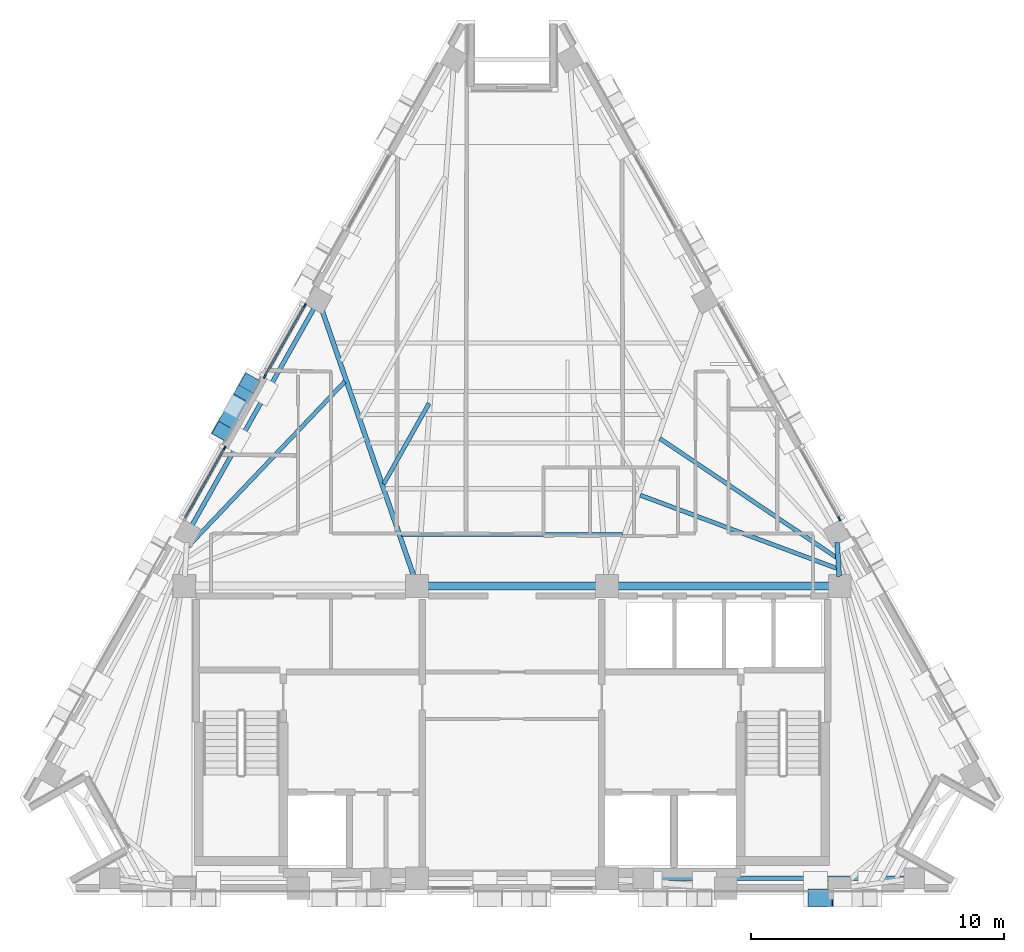
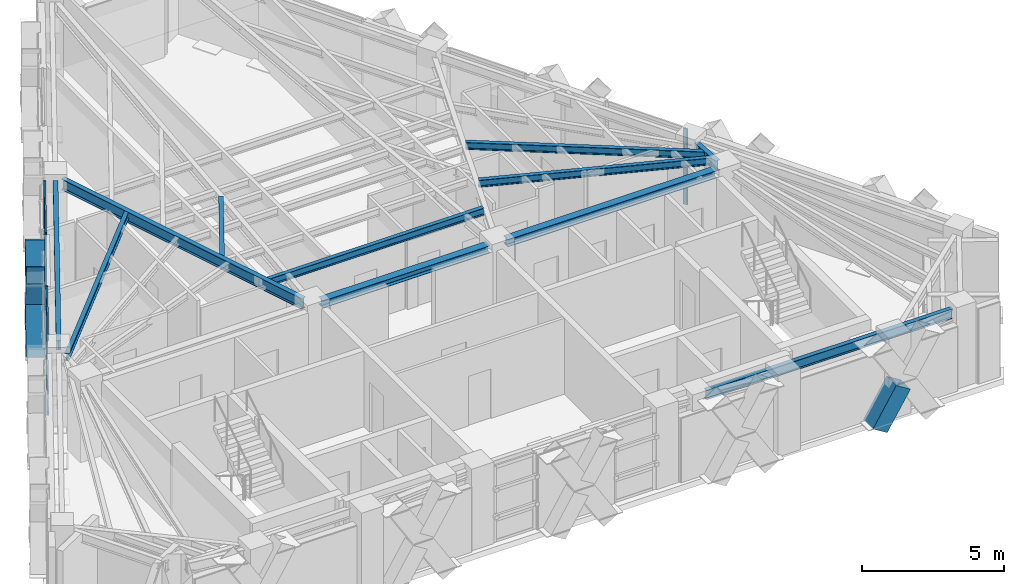
# One storey, part 3 of 10: 14 members, 11 beams, 3 elements without a shape of their own.
"""IFC4 building model written with IfcOpenShell, lengths in metres."""

from ifc_helpers import new_model, si_unit, direction, frame, origin, origin_2d, place, context, subcontext, project, spatial, rectangle, hollow_rectangle, i_section, extrude, material, material_profile, profile_set, type_object, element, aggregate, save


model = new_model("IFC4")

# Units and contexts
model_context = context("Model", 3, precision=1e-05, world=origin(), true_north=direction((0.0, 1.0)))
body_context = subcontext(model_context, "Body", "Model", "MODEL_VIEW")
ifc_project = project(units=[si_unit("LENGTHUNIT", "METRE"), si_unit("AREAUNIT", "SQUARE_METRE"), si_unit("VOLUMEUNIT", "CUBIC_METRE"), si_unit("PLANEANGLEUNIT", "RADIAN"), si_unit("MASSUNIT", "GRAM", prefix="KILO")], contexts=[model_context])

# Site, building, storey
site_placement = place(None, origin())
site = spatial("IfcSite", under=ifc_project, at=site_placement, CompositionType="ELEMENT")
building_placement = place(site_placement, origin())
building = spatial("IfcBuilding", under=site, at=building_placement, Name="Quenlor Broadcast Tower", CompositionType="ELEMENT")
storey_placement = place(building_placement, frame((0.0, 0.0, 232.39990234375)))
storey = spatial("IfcBuildingStorey", under=building, at=storey_placement, Name="L64", CompositionType="ELEMENT", Elevation=232.39990234375)

# Curtain wall, member
ifc_material_1 = material(Name="Architectural Terracotta and Low-E Glazing", Category="masonry")
curtain_wall_type = type_object("IfcCurtainWallType", Name="Unitised Terracotta Curtain Wall System Z5", PredefinedType="NOTDEFINED", material=ifc_material_1)
curtain_wall_1_placement = place(storey_placement, origin())
curtain_wall_1 = element("IfcCurtainWall", 1, at=curtain_wall_1_placement, inside=storey, type_object=curtain_wall_type, Name="L64 Curtain Wall CW5 (L64-NE-G2)", PredefinedType="NOTDEFINED")
ifc_material_2 = material(Name="Aluminium 6063-T6", Category="aluminium")
ifc_material_profile_1 = material_profile(ifc_material_2, rectangle(XDim=0.06494140625, YDim=0.169921875, at=origin_2d()))
ifc_profile_set_1 = profile_set([ifc_material_profile_1], Name="Aluminium 6063-T6 MULL65x170")
member_type_1 = type_object("IfcMemberType", Name="CW5 Aluminium Mullion MULL_CW5", PredefinedType="MULLION", material=ifc_profile_set_1)
member_1_placement = place(storey_placement, frame((12.930419921875, -2.1484375, 0.0), z_axis=(0.0, 0.0, 1.0), x_axis=(0.871574721405, 0.490262689797, 0.0)))
member_1 = element("IfcMember", 2, at=member_1_placement, type_object=member_type_1, Name="CW5 mullion 2", PredefinedType="MULLION", context=body_context, shape_type="SweptSolid", body=[
    extrude(rectangle(XDim=0.06494140625, YDim=0.169921875, at=origin_2d()), origin(), (0.0, 0.0, 1.0), 3.25),
])
aggregate(curtain_wall_1, [member_1])

curtain_wall_2_placement = place(storey_placement, origin())
curtain_wall_2 = element("IfcCurtainWall", 3, at=curtain_wall_2_placement, inside=storey, type_object=curtain_wall_type, Name="L64 Curtain Wall CW5 (L64-NW-G1)", PredefinedType="NOTDEFINED")
member_2_placement = place(storey_placement, frame((-11.357177734375, 0.6484375, 0.0), z_axis=(0.0, 0.0, 1.0), x_axis=(-0.871574721405, 0.490262689797, 0.0)))
member_2 = element("IfcMember", 4, at=member_2_placement, type_object=member_type_1, Name="CW5 mullion 2", PredefinedType="MULLION", context=body_context, shape_type="SweptSolid", body=[
    extrude(rectangle(XDim=0.06494140625, YDim=0.169921875, at=origin_2d()), origin(), (0.0, 0.0, 1.0), 3.25),
])

# Curtain wall, members
curtain_wall_3_placement = place(storey_placement, origin())
curtain_wall_3 = element("IfcCurtainWall", 5, at=curtain_wall_3_placement, inside=storey, type_object=curtain_wall_type, Name="L64 Curtain Wall CW5 (L64-NW-G2)", PredefinedType="NOTDEFINED")
member_3_placement = place(storey_placement, frame((-9.763427734375, 3.48193359375, 0.0), z_axis=(0.0, 0.0, 1.0), x_axis=(-0.871574721405, 0.490262689797, 0.0)))
member_3 = element("IfcMember", 6, at=member_3_placement, type_object=member_type_1, Name="CW5 mullion 1", PredefinedType="MULLION", context=body_context, shape_type="SweptSolid", body=[
    extrude(rectangle(XDim=0.06494140625, YDim=0.169921875, at=origin_2d()), origin(), (0.0, 0.0, 1.0), 3.25),
])
member_4_placement = place(storey_placement, frame((-8.190185546875, 6.27880859375, 0.0), z_axis=(0.0, 0.0, 1.0), x_axis=(-0.871574721405, 0.490262689797, 0.0)))
member_4 = element("IfcMember", 7, at=member_4_placement, type_object=member_type_1, Name="CW5 mullion 2", PredefinedType="MULLION", context=body_context, shape_type="SweptSolid", body=[
    extrude(rectangle(XDim=0.06494140625, YDim=0.169921875, at=origin_2d()), origin(), (0.0, 0.0, 1.0), 3.25),
])

# Member
ifc_material_3 = material(Name="Aluminium 6063-T6", Category="aluminium")
ifc_material_profile_2 = material_profile(ifc_material_3, rectangle(XDim=0.06494140625, YDim=0.139892578125, at=origin_2d()))
ifc_profile_set_2 = profile_set([ifc_material_profile_2], Name="Aluminium 6063-T6 TRAN65x140")
member_type_2 = type_object("IfcMemberType", Name="CW5 Aluminium Transom TRAN_CW5", PredefinedType="USERDEFINED", material=ifc_profile_set_2)
member_5_placement = place(storey_placement, frame((-12.91455078125, -2.1201171875, 0.03271484375), z_axis=(0.490290733046, 0.871558946422, 0.0), x_axis=(-0.871558946422, 0.490290733046, 0.0)))
member_5 = element("IfcMember", 8, at=member_5_placement, type_object=member_type_2, Name="CW5 transom 1.1", ObjectType="TRANSOM", PredefinedType="USERDEFINED", context=body_context, shape_type="SweptSolid", body=[
    extrude(rectangle(XDim=0.06494140625, YDim=0.139892578125, at=origin_2d()), origin(), (0.0, 0.0, 1.0), 3.14404296875),
])

member_6_placement = place(storey_placement, frame((-12.91455078125, -2.1201171875, 0.9501953125), z_axis=(0.490290733046, 0.871558946422, 0.0), x_axis=(-0.871558946422, 0.490290733046, 0.0)))
member_6 = element("IfcMember", 9, at=member_6_placement, type_object=member_type_2, Name="CW5 transom 1.2", ObjectType="TRANSOM", PredefinedType="USERDEFINED", context=body_context, shape_type="SweptSolid", body=[
    extrude(rectangle(XDim=0.06494140625, YDim=0.139892578125, at=origin_2d()), origin(), (0.0, 0.0, 1.0), 3.14404296875),
])

member_7_placement = place(storey_placement, frame((-12.91455078125, -2.1201171875, 3.217529296875), z_axis=(0.490290733046, 0.871558946422, 0.0), x_axis=(-0.871558946422, 0.490290733046, 0.0)))
member_7 = element("IfcMember", 10, at=member_7_placement, type_object=member_type_2, Name="CW5 transom 1.3", ObjectType="TRANSOM", PredefinedType="USERDEFINED", context=body_context, shape_type="SweptSolid", body=[
    extrude(rectangle(XDim=0.06494140625, YDim=0.139892578125, at=origin_2d()), origin(), (0.0, 0.0, 1.0), 3.14404296875),
])

aggregate(curtain_wall_2, [member_2, member_5, member_6, member_7])

member_8_placement = place(storey_placement, frame((-9.747314453125, 3.51025390625, 0.03271484375), z_axis=(0.490231744535, 0.87159212746, 0.0), x_axis=(-0.87159212746, 0.490231744535, 0.0)))
member_8 = element("IfcMember", 11, at=member_8_placement, type_object=member_type_2, Name="CW5 transom 1.1", ObjectType="TRANSOM", PredefinedType="USERDEFINED", context=body_context, shape_type="SweptSolid", body=[
    extrude(rectangle(XDim=0.06494140625, YDim=0.139892578125, at=origin_2d()), origin(), (0.0, 0.0, 1.0), 3.14404296875),
])

member_9_placement = place(storey_placement, frame((-9.747314453125, 3.51025390625, 0.9501953125), z_axis=(0.490231744535, 0.87159212746, 0.0), x_axis=(-0.87159212746, 0.490231744535, 0.0)))
member_9 = element("IfcMember", 12, at=member_9_placement, type_object=member_type_2, Name="CW5 transom 1.2", ObjectType="TRANSOM", PredefinedType="USERDEFINED", context=body_context, shape_type="SweptSolid", body=[
    extrude(rectangle(XDim=0.06494140625, YDim=0.139892578125, at=origin_2d()), origin(), (0.0, 0.0, 1.0), 3.14404296875),
])

member_10_placement = place(storey_placement, frame((-9.747314453125, 3.51025390625, 3.217529296875), z_axis=(0.490231744535, 0.87159212746, 0.0), x_axis=(-0.87159212746, 0.490231744535, 0.0)))
member_10 = element("IfcMember", 13, at=member_10_placement, type_object=member_type_2, Name="CW5 transom 1.3", ObjectType="TRANSOM", PredefinedType="USERDEFINED", context=body_context, shape_type="SweptSolid", body=[
    extrude(rectangle(XDim=0.06494140625, YDim=0.139892578125, at=origin_2d()), origin(), (0.0, 0.0, 1.0), 3.14404296875),
])

aggregate(curtain_wall_3, [member_3, member_4, member_8, member_9, member_10])

# Beams
ifc_material_4 = material(Name="Steel S355", Category="steel")
ifc_material_profile_3 = material_profile(ifc_material_4, i_section(OverallWidth=0.304931640625, OverallDepth=0.30810546875, WebThickness=0.010009765625, FlangeThickness=0.015380859375, FilletRadius=0.0166015625, at=origin_2d()))
ifc_profile_set_3 = profile_set([ifc_material_profile_3], Name="Steel S355 310UC96.8")
beam_type_1 = type_object("IfcBeamType", Name="Core Header Beam Steel S355 310UC96.8", PredefinedType="BEAM", material=ifc_profile_set_3)
beam_1_placement = place(storey_placement, frame((-3.389892578125, -4.800048828125, 3.09619140625), z_axis=(1.0, 0.0, 0.0), x_axis=(0.0, 1.0, 0.0)))
element("IfcBeam", 14, at=beam_1_placement, inside=storey, type_object=beam_type_1, Name="L64 Core Header Beam 2", PredefinedType="BEAM", context=body_context, shape_type="SweptSolid", body=[
    extrude(i_section(OverallWidth=0.304931640625, OverallDepth=0.30810546875, WebThickness=0.010009765625, FlangeThickness=0.015380859375, FilletRadius=0.0166015625, at=origin_2d()), origin(), (0.0, 0.0, 1.0), 6.77978515625),
])
ifc_material_5 = material(Name="Steel S355", Category="steel")
ifc_material_profile_4 = material_profile(ifc_material_5, i_section(OverallWidth=0.306884765625, OverallDepth=0.314697265625, WebThickness=0.011962890625, FlangeThickness=0.018798828125, FilletRadius=0.0166015625, at=origin_2d()))
ifc_profile_set_4 = profile_set([ifc_material_profile_4], Name="Steel S355 310UC118")
beam_type_2 = type_object("IfcBeamType", Name="Core Tie Beam Steel S355 310UC118", PredefinedType="BEAM", material=ifc_profile_set_4)
beam_2_placement = place(storey_placement, frame((4.110107421875, -4.800048828125, 3.0927734375), z_axis=(1.0, 0.0, 0.0), x_axis=(0.0, 1.0, 0.0)))
element("IfcBeam", 15, at=beam_2_placement, inside=storey, type_object=beam_type_2, Name="L64 Core Tie Beam 3", PredefinedType="BEAM", context=body_context, shape_type="SweptSolid", body=[
    extrude(i_section(OverallWidth=0.306884765625, OverallDepth=0.314697265625, WebThickness=0.011962890625, FlangeThickness=0.018798828125, FilletRadius=0.0166015625, at=origin_2d()), origin(), (0.0, 0.0, 1.0), 8.47998046875),
])

# Members
ifc_material_6 = material(Name="Steel S355", Category="steel")
ifc_material_profile_5 = material_profile(ifc_material_6, hollow_rectangle(XDim=0.679931640625, YDim=0.679931640625, WallThickness=0.02001953125, at=origin_2d()))
ifc_profile_set_5 = profile_set([ifc_material_profile_5], Name="Steel S355 RHS680x680x20")
member_type_3 = type_object("IfcMemberType", Name="Perimeter Diagonal Lattice Brace Z5-Crown Steel S355 RHS680x20", PredefinedType="BRACE", material=ifc_profile_set_5)
member_11_placement = place(storey_placement, frame((11.98828125, -17.1201171875, -0.119873046875), z_axis=(0.523719849356, 0.0, 0.851890555993), x_axis=(0.0, 1.0, 0.0)))
element("IfcMember", 16, at=member_11_placement, inside=storey, type_object=member_type_3, Name="L64 Perimeter Diamond Lattice S-C1XB1", PredefinedType="BRACE", context=body_context, shape_type="SweptSolid", body=[
    extrude(hollow_rectangle(XDim=0.679931640625, YDim=0.679931640625, WallThickness=0.02001953125, at=origin_2d()), origin(), (0.0, 0.0, 1.0), 1.803955078125),
])
member_12_placement = place(storey_placement, frame((-11.443115234375, 1.3017578125, -0.119873046875), z_axis=(0.260618804175, 0.463276364439, 0.847025884529), x_axis=(-0.8715547569, 0.490298180422, 0.0)))
element("IfcMember", 17, at=member_12_placement, inside=storey, type_object=member_type_3, Name="L64 Perimeter Diamond Lattice NW-C3XA", PredefinedType="BRACE", context=body_context, shape_type="SweptSolid", body=[
    extrude(hollow_rectangle(XDim=0.679931640625, YDim=0.679931640625, WallThickness=0.02001953125, at=origin_2d()), origin(), (0.0, 0.0, 1.0), 4.132080078125),
])
member_13_placement = place(storey_placement, frame((-10.3662109375, 3.216064453125, -0.119873046875), z_axis=(-0.26068648878, -0.463293264743, 0.846995811921), x_axis=(0.871507987664, -0.490381308207, 0.0)))
element("IfcMember", 18, at=member_13_placement, inside=storey, type_object=member_type_3, Name="L64 Perimeter Diamond Lattice NW-C3XB1", PredefinedType="BRACE", context=body_context, shape_type="SweptSolid", body=[
    extrude(hollow_rectangle(XDim=0.679931640625, YDim=0.679931640625, WallThickness=0.02001953125, at=origin_2d()), origin(), (0.0, 0.0, 1.0), 1.81591796875),
])
member_14_placement = place(storey_placement, frame((-10.9697265625, 2.14306640625, 1.841796875), z_axis=(-0.260656806259, -0.463240512825, 0.847033798988), x_axis=(0.871507987664, -0.490381308207, 0.0)))
element("IfcMember", 19, at=member_14_placement, inside=storey, type_object=member_type_3, Name="L64 Perimeter Diamond Lattice NW-C3XB2", PredefinedType="BRACE", context=body_context, shape_type="SweptSolid", body=[
    extrude(hollow_rectangle(XDim=0.679931640625, YDim=0.679931640625, WallThickness=0.02001953125, at=origin_2d()), origin(), (0.0, 0.0, 1.0), 1.816162109375),
])

# Beams
ifc_material_7 = material(Name="Steel S355", Category="steel")
ifc_material_profile_6 = material_profile(ifc_material_7, i_section(OverallWidth=0.177978515625, OverallDepth=0.406494140625, WebThickness=0.0078125, FlangeThickness=0.0126953125, FilletRadius=0.011474609375, at=origin_2d()))
ifc_profile_set_6 = profile_set([ifc_material_profile_6], Name="Steel S355 410UB59.7")
beam_type_3 = type_object("IfcBeamType", Name="Perimeter Spandrel Beam Z5 Steel S355 410UB59.7", PredefinedType="SPANDREL", material=ifc_profile_set_6)
beam_3_placement = place(storey_placement, frame((5.5439453125, -16.35009765625, 3.046875), z_axis=(1.0, 0.0, 0.0), x_axis=(0.0, 1.0, 0.0)))
element("IfcBeam", 20, at=beam_3_placement, inside=storey, type_object=beam_type_3, Name="L64 Spandrel Beam S3-S4", PredefinedType="SPANDREL", context=body_context, shape_type="SweptSolid", body=[
    extrude(i_section(OverallWidth=0.177978515625, OverallDepth=0.406494140625, WebThickness=0.0078125, FlangeThickness=0.0126953125, FilletRadius=0.011474609375, at=origin_2d()), origin(), (0.0, 0.0, 1.0), 9.99365234375),
])
beam_4_placement = place(storey_placement, frame((-7.818115234375, 6.175537109375, 3.046875), z_axis=(-0.49024947634, -0.871582153872, 0.0), x_axis=(0.871582153872, -0.49024947634, 0.0)))
element("IfcBeam", 21, at=beam_4_placement, inside=storey, type_object=beam_type_3, Name="L64 Spandrel Beam NW2-NW3", PredefinedType="SPANDREL", context=body_context, shape_type="SweptSolid", body=[
    extrude(i_section(OverallWidth=0.177978515625, OverallDepth=0.406494140625, WebThickness=0.0078125, FlangeThickness=0.0126953125, FilletRadius=0.011474609375, at=origin_2d()), origin(), (0.0, 0.0, 1.0), 9.853759765625),
])
ifc_material_8 = material(Name="Steel S355", Category="steel")
ifc_material_profile_7 = material_profile(ifc_material_8, i_section(OverallWidth=0.166015625, OverallDepth=0.30712890625, WebThickness=0.006591796875, FlangeThickness=0.01171875, FilletRadius=0.011474609375, at=origin_2d()))
ifc_profile_set_7 = profile_set([ifc_material_profile_7], Name="Steel S355 310UB46.2")
beam_type_4 = type_object("IfcBeamType", Name="Tower Composite Joist Z4-Z5 Steel S355 310UB46.2", PredefinedType="JOIST", material=ifc_profile_set_7)
beam_5_placement = place(storey_placement, frame((-4.37060546875, -2.767822265625, 3.096435546875), z_axis=(1.0, 0.0, 0.0), x_axis=(0.0, 1.0, 0.0)))
element("IfcBeam", 22, at=beam_5_placement, inside=storey, type_object=beam_type_4, Name="L64 Secondary Composite Joist 1", PredefinedType="JOIST", context=body_context, shape_type="SweptSolid", body=[
    extrude(i_section(OverallWidth=0.166015625, OverallDepth=0.30712890625, WebThickness=0.006591796875, FlangeThickness=0.01171875, FilletRadius=0.011474609375, at=origin_2d()), origin(), (0.0, 0.0, 1.0), 8.7412109375),
])
beam_6_placement = place(storey_placement, frame((-12.80517578125, -3.249267578125, 3.096435546875), z_axis=(0.689023306429, 0.724739182877, 0.0), x_axis=(-0.724739182877, 0.689023306429, 0.0)))
element("IfcBeam", 23, at=beam_6_placement, inside=storey, type_object=beam_type_4, Name="L64 Secondary Composite Joist 9", PredefinedType="JOIST", context=body_context, shape_type="SweptSolid", body=[
    extrude(i_section(OverallWidth=0.166015625, OverallDepth=0.30712890625, WebThickness=0.006591796875, FlangeThickness=0.01171875, FilletRadius=0.011474609375, at=origin_2d()), origin(), (0.0, 0.0, 1.0), 8.99560546875),
])
beam_7_placement = place(storey_placement, frame((12.835205078125, -4.108642578125, 3.096435546875), z_axis=(-0.937062080226, 0.349162795559, 0.0), x_axis=(-0.349162795559, -0.937062080226, 0.0)))
element("IfcBeam", 24, at=beam_7_placement, inside=storey, type_object=beam_type_4, Name="L64 Secondary Composite Joist 10", PredefinedType="JOIST", context=body_context, shape_type="SweptSolid", body=[
    extrude(i_section(OverallWidth=0.166015625, OverallDepth=0.30712890625, WebThickness=0.006591796875, FlangeThickness=0.01171875, FilletRadius=0.011474609375, at=origin_2d()), origin(), (0.0, 0.0, 1.0), 8.286376953125),
])
beam_8_placement = place(storey_placement, frame((12.81884765625, -3.67724609375, 3.096435546875), z_axis=(-0.829286301475, 0.558823970661, 0.0), x_axis=(-0.558823970661, -0.829286301475, 0.0)))
element("IfcBeam", 25, at=beam_8_placement, inside=storey, type_object=beam_type_4, Name="L64 Secondary Composite Joist 11", PredefinedType="JOIST", context=body_context, shape_type="SweptSolid", body=[
    extrude(i_section(OverallWidth=0.166015625, OverallDepth=0.30712890625, WebThickness=0.006591796875, FlangeThickness=0.01171875, FilletRadius=0.011474609375, at=origin_2d()), origin(), (0.0, 0.0, 1.0), 8.415771484375),
])
beam_9_placement = place(storey_placement, frame((-3.2763671875, 2.41455078125, 3.096435546875), z_axis=(-0.490258076222, -0.871577316535, 0.0), x_axis=(0.871577316535, -0.490258076222, 0.0)))
element("IfcBeam", 26, at=beam_9_placement, inside=storey, type_object=beam_type_4, Name="L64 Secondary Composite Joist 25", PredefinedType="JOIST", context=body_context, shape_type="SweptSolid", body=[
    extrude(i_section(OverallWidth=0.166015625, OverallDepth=0.30712890625, WebThickness=0.006591796875, FlangeThickness=0.01171875, FilletRadius=0.011474609375, at=origin_2d()), origin(), (0.0, 0.0, 1.0), 3.6640625),
])
ifc_material_9 = material(Name="Steel S355", Category="steel")
ifc_material_profile_8 = material_profile(ifc_material_9, i_section(OverallWidth=0.19091796875, OverallDepth=0.46044921875, WebThickness=0.010009765625, FlangeThickness=0.01611328125, FilletRadius=0.011474609375, at=origin_2d()))
ifc_profile_set_8 = profile_set([ifc_material_profile_8], Name="Steel S355 460UB82.1")
beam_type_5 = type_object("IfcBeamType", Name="Tower Primary Floor Beam Z5 Steel S355 460UB82.1", PredefinedType="BEAM", material=ifc_profile_set_8)
beam_10_placement = place(storey_placement, frame((12.84716796875, -3.086181640625, 3.02001953125), z_axis=(0.059899569349, -0.998204408722, 0.0), x_axis=(0.998204408722, 0.059899569349, 0.0)))
element("IfcBeam", 27, at=beam_10_placement, inside=storey, type_object=beam_type_5, Name="L64 Primary Radial Beam NE2", PredefinedType="BEAM", context=body_context, shape_type="SweptSolid", body=[
    extrude(i_section(OverallWidth=0.19091796875, OverallDepth=0.46044921875, WebThickness=0.010009765625, FlangeThickness=0.01611328125, FilletRadius=0.011474609375, at=origin_2d()), origin(), (0.0, 0.0, 1.0), 1.3369140625),
])
beam_11_placement = place(storey_placement, frame((-7.524169921875, 6.14892578125, 3.02001953125), z_axis=(0.325895297662, -0.945405867848, 0.0), x_axis=(0.945405867848, 0.325895297662, 0.0)))
element("IfcBeam", 28, at=beam_11_placement, inside=storey, type_object=beam_type_5, Name="L64 Primary Radial Beam NW2", PredefinedType="BEAM", context=body_context, shape_type="SweptSolid", body=[
    extrude(i_section(OverallWidth=0.19091796875, OverallDepth=0.46044921875, WebThickness=0.010009765625, FlangeThickness=0.01611328125, FilletRadius=0.011474609375, at=origin_2d()), origin(), (0.0, 0.0, 1.0), 11.201171875),
])

save(model, "model.ifc")
